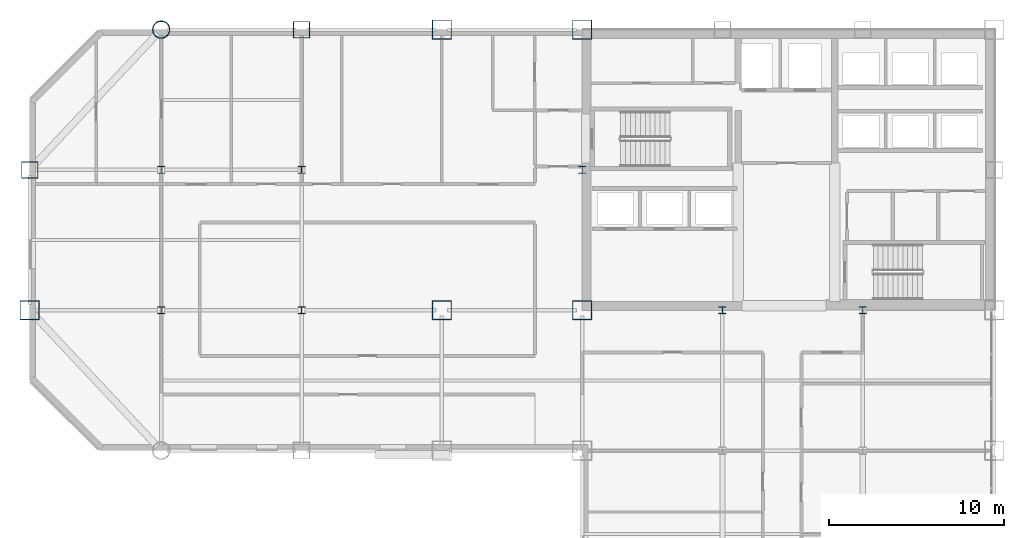
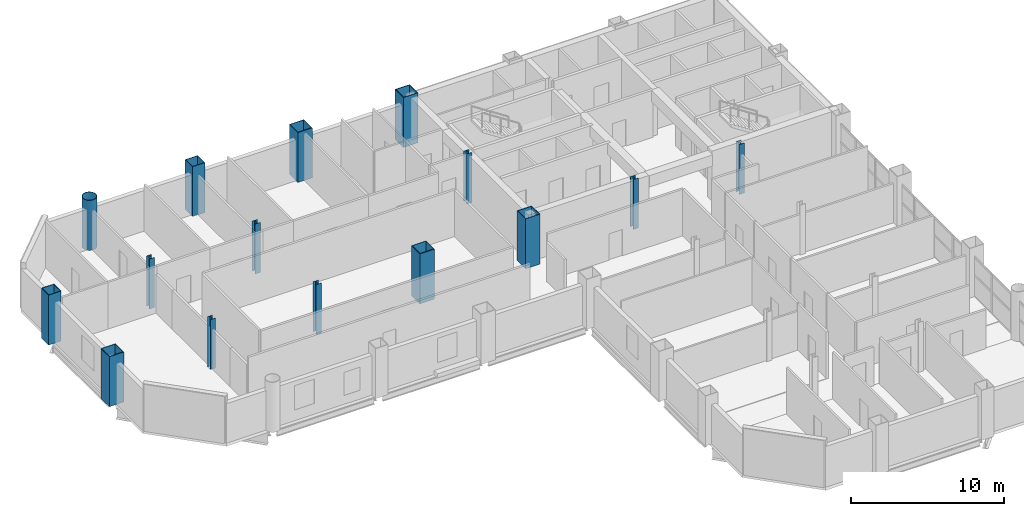
# One storey, part 3 of 16: 15 columns.
"""IFC4 building model written with IfcOpenShell, lengths in metres."""

from ifc_helpers import new_model, si_unit, direction, frame, origin, origin_2d, place, context, subcontext, project, spatial, hollow_rectangle, hollow_circle, i_section, extrude, material, material_profile, profile_set, type_object, element, save


model = new_model("IFC4")

# Units and contexts
model_context = context("Model", 3, precision=1e-05, world=origin(), true_north=direction((0.0, 1.0)))
body_context = subcontext(model_context, "Body", "Model", "MODEL_VIEW")
ifc_project = project(units=[si_unit("LENGTHUNIT", "METRE"), si_unit("AREAUNIT", "SQUARE_METRE"), si_unit("VOLUMEUNIT", "CUBIC_METRE"), si_unit("PLANEANGLEUNIT", "RADIAN"), si_unit("MASSUNIT", "GRAM", prefix="KILO")], contexts=[model_context])

# Site, building, storey
site_placement = place(None, origin())
site = spatial("IfcSite", under=ifc_project, at=site_placement, CompositionType="ELEMENT")
building_placement = place(site_placement, origin())
building = spatial("IfcBuilding", under=site, at=building_placement, Name="Qianrong Seaharbour Tower", CompositionType="ELEMENT")
storey_placement = place(building_placement, frame((0.0, 0.0, 127.0)))
storey = spatial("IfcBuildingStorey", under=building, at=storey_placement, Name="L30", CompositionType="ELEMENT", Elevation=127.0)

# Columns
ifc_material = material(Name="Structural steel SN490B", Category="steel")
ifc_material_profile_1 = material_profile(ifc_material, hollow_rectangle(XDim=1.10009765625, YDim=1.10009765625, WallThickness=0.0400390625, at=origin_2d()), Name="BOX1100x1100x40")
ifc_profile_set_1 = profile_set([ifc_material_profile_1], Name="Structural steel SN490B")
column_type_1 = type_object("IfcColumnType", Name="COL-CFT-1100", PredefinedType="COLUMN", material=ifc_profile_set_1)
for number, where, z_axis, x_axis, name in (
    (1, (9.0, 36.0, 0.0), (0.0, 0.0, 1.0), (1.0, 0.0, 0.0), "L30 Column MC-3 at G2/GF"),
    (2, (32.5, 36.0, 0.0), (0.0, 0.0, 1.0), (1.0, 0.0, 0.0), "L30 Column MC-3 at G5/GF"),
    (3, (32.5, 52.0, 0.0), (0.0, 0.0, 1.0), (1.0, 0.0, 0.0), "L30 Column MC-3 at G5/GH"),
    (4, (40.5, 36.0, 0.0), (0.0, 0.0, 1.0), (1.0, 0.0, 0.0), "L30 Column MC-3 at G6/GF"),
    (5, (40.5, 52.0, 0.0), (0.0, 0.0, 1.0), (1.0, 0.0, 0.0), "L30 Column MC-3 at G6/GH"),
):
    element("IfcColumn", number, at=place(storey_placement, frame(where, z_axis=z_axis, x_axis=x_axis)), inside=storey, type_object=column_type_1, Name=name, PredefinedType="COLUMN", context=body_context, shape_type="SweptSolid", body=[
        extrude(hollow_rectangle(XDim=1.10009765625, YDim=1.10009765625, WallThickness=0.0400390625, at=origin_2d()), origin(), (0.0, 0.0, 1.0), 4.0),
    ])
ifc_material_profile_2 = material_profile(ifc_material, hollow_circle(Radius=0.5, WallThickness=0.035888671875, at=origin_2d()), Name="CHS1000x36")
ifc_profile_set_2 = profile_set([ifc_material_profile_2], Name="Structural steel SN490B")
column_type_2 = type_object("IfcColumnType", Name="COL-CHS-1000", PredefinedType="COLUMN", material=ifc_profile_set_2)
column_placement = place(storey_placement, frame((16.5, 52.0, 0.0), z_axis=(0.0, 0.0, 1.0), x_axis=(1.0, 0.0, 0.0)))
element("IfcColumn", 6, at=column_placement, inside=storey, type_object=column_type_2, Name="L30 Column CC-2 at G3/GH", PredefinedType="COLUMN", context=body_context, shape_type="SweptSolid", body=[
    extrude(hollow_circle(Radius=0.5, WallThickness=0.035888671875, at=origin_2d()), origin(), (0.0, 0.0, 1.0), 4.0),
])
ifc_material_profile_3 = material_profile(ifc_material, i_section(OverallWidth=0.39990234375, OverallDepth=0.39990234375, WebThickness=0.012939453125, FlangeThickness=0.02099609375, FilletRadius=0.02197265625, at=origin_2d()), Name="H400x400x13x21")
ifc_profile_set_3 = profile_set([ifc_material_profile_3], Name="Structural steel SN490B")
column_type_3 = type_object("IfcColumnType", Name="COL-INT-H400", PredefinedType="COLUMN", material=ifc_profile_set_3)
for number, where, z_axis, x_axis, name in (
    (7, (16.5, 36.0, 0.0), (0.0, 0.0, 1.0), (1.0, 0.0, 0.0), "L30 Column IC-3 at G3/GF"),
    (8, (16.5, 44.0, 0.0), (0.0, 0.0, 1.0), (1.0, 0.0, 0.0), "L30 Column IC-3 at G3/GG"),
    (9, (24.5, 36.0, 0.0), (0.0, 0.0, 1.0), (1.0, 0.0, 0.0), "L30 Column IC-3 at G4/GF"),
    (10, (24.5, 44.0, 0.0), (0.0, 0.0, 1.0), (1.0, 0.0, 0.0), "L30 Column IC-3 at G4/GG"),
    (11, (40.5, 44.0, 0.0), (0.0, 0.0, 1.0), (1.0, 0.0, 0.0), "L30 Column IC-3 at G6/GG"),
    (12, (48.5, 36.0, 0.0), (0.0, 0.0, 1.0), (1.0, 0.0, 0.0), "L30 Column IC-3 at G7/GF"),
    (13, (56.5, 36.0, 0.0), (0.0, 0.0, 1.0), (1.0, 0.0, 0.0), "L30 Column IC-3 at G8/GF"),
):
    element("IfcColumn", number, at=place(storey_placement, frame(where, z_axis=z_axis, x_axis=x_axis)), inside=storey, type_object=column_type_3, Name=name, PredefinedType="COLUMN", context=body_context, shape_type="SweptSolid", body=[
        extrude(i_section(OverallWidth=0.39990234375, OverallDepth=0.39990234375, WebThickness=0.012939453125, FlangeThickness=0.02099609375, FilletRadius=0.02197265625, at=origin_2d()), origin(), (0.0, 0.0, 1.0), 4.0),
    ])
ifc_material_profile_4 = material_profile(ifc_material, hollow_rectangle(XDim=0.949951171875, YDim=0.949951171875, WallThickness=0.035888671875, at=origin_2d()), Name="BOX950x950x36")
ifc_profile_set_4 = profile_set([ifc_material_profile_4], Name="Structural steel SN490B")
column_type_4 = type_object("IfcColumnType", Name="COL-PER-950", PredefinedType="COLUMN", material=ifc_profile_set_4)
for number, where, z_axis, x_axis, name in (
    (14, (9.0, 44.0, 0.0), (0.0, 0.0, 1.0), (1.0, 0.0, 0.0), "L30 Column PC-2 at G2/GG"),
    (15, (24.5, 52.0, 0.0), (0.0, 0.0, 1.0), (1.0, 0.0, 0.0), "L30 Column PC-2 at G4/GH"),
):
    element("IfcColumn", number, at=place(storey_placement, frame(where, z_axis=z_axis, x_axis=x_axis)), inside=storey, type_object=column_type_4, Name=name, PredefinedType="COLUMN", context=body_context, shape_type="SweptSolid", body=[
        extrude(hollow_rectangle(XDim=0.949951171875, YDim=0.949951171875, WallThickness=0.035888671875, at=origin_2d()), origin(), (0.0, 0.0, 1.0), 4.0),
    ])

save(model, "model.ifc")
